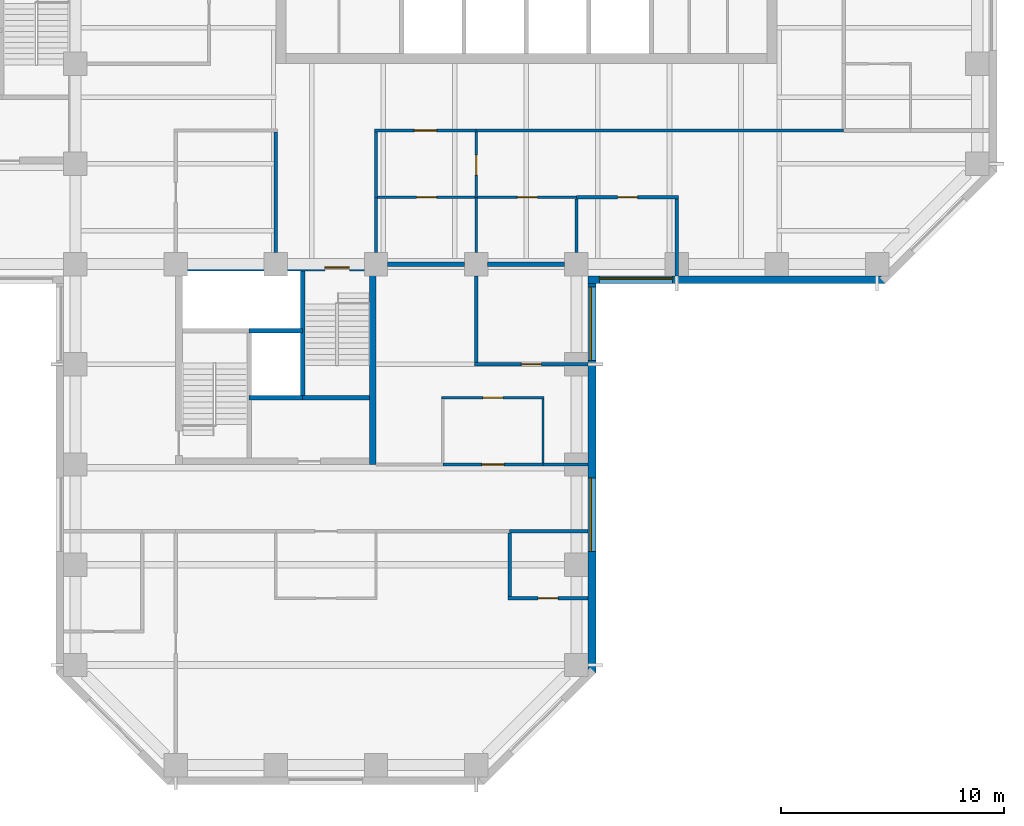
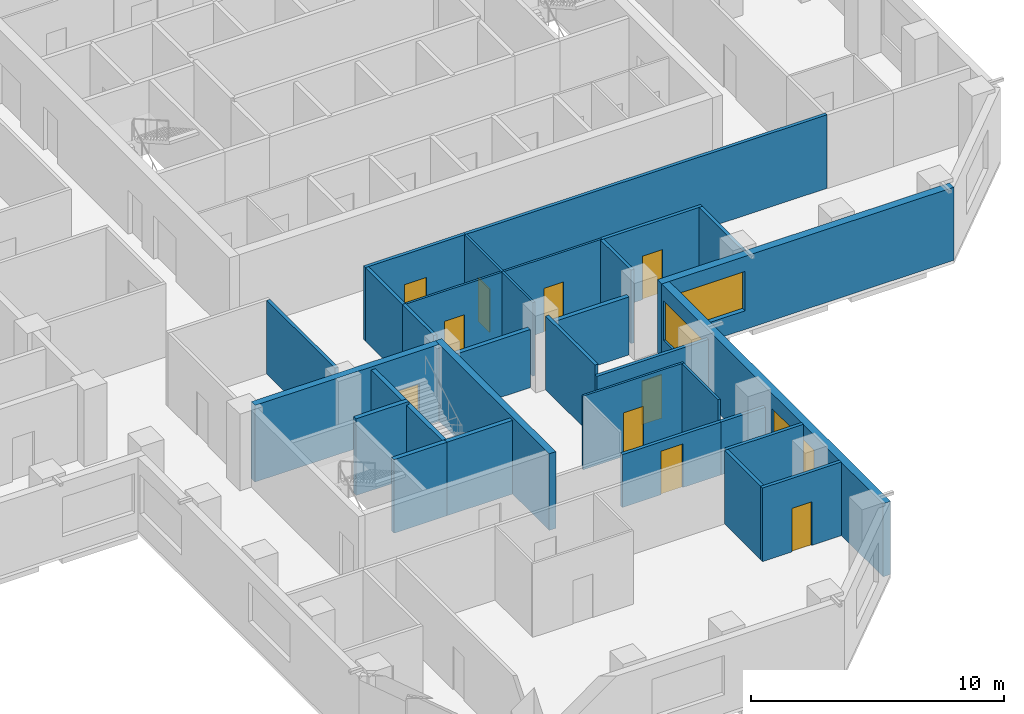
# One storey, part 4 of 11: 31 walls, 10 doors, 3 windows, 13 openings.
"""IFC4 building model written with IfcOpenShell, lengths in metres."""

from ifc_helpers import new_model, si_unit, direction, frame, frame_2d, origin, place, context, subcontext, project, spatial, rectangle, extrude, material, layer, layer_set, constituent, constituent_set, type_object, element, fill, save


model = new_model("IFC4")

# Units and contexts
model_context = context("Model", 3, precision=1e-05, world=origin(), true_north=direction((0.0, 1.0)))
body_context = subcontext(model_context, "Body", "Model", "MODEL_VIEW")
ifc_project = project(units=[si_unit("LENGTHUNIT", "METRE"), si_unit("AREAUNIT", "SQUARE_METRE"), si_unit("VOLUMEUNIT", "CUBIC_METRE"), si_unit("PLANEANGLEUNIT", "RADIAN"), si_unit("MASSUNIT", "GRAM", prefix="KILO")], contexts=[model_context])

# Site, building, storey
site_placement = place(None, origin())
site = spatial("IfcSite", under=ifc_project, at=site_placement, CompositionType="ELEMENT")
building_placement = place(site_placement, origin())
building = spatial("IfcBuilding", under=site, at=building_placement, Name="Quoin Convention Tower", CompositionType="ELEMENT")
storey_placement = place(building_placement, frame((0.0, 0.0, 93.699951171875)))
storey = spatial("IfcBuildingStorey", under=building, at=storey_placement, Name="L24", CompositionType="ELEMENT", Elevation=93.699951171875)

# Wall, opening, door
ifc_material_1 = material(Name="Plasterboard")
ifc_layer_1 = layer(ifc_material_1, 0.012451171875, Name="Finish")
ifc_material_2 = material(Name="Steel stud framing", Category="steel")
ifc_layer_2 = layer(ifc_material_2, 0.125, Name="Structure")
ifc_layer_3 = layer(ifc_material_1, 0.012451171875, Name="Finish")
ifc_layer_set_1 = layer_set([ifc_layer_1, ifc_layer_2, ifc_layer_3], Name="Steel stud framing")
wall_type_1 = type_object("IfcWallType", Name="Acoustic partition 150", PredefinedType="PARTITIONING", material=ifc_layer_set_1)
wall_1_placement = place(storey_placement, frame((58.5, 43.5, 0.0), z_axis=(0.0, 0.0, 1.0), x_axis=(1.0, 0.0, 0.0)))
wall_1 = element("IfcWall", 1, at=wall_1_placement, inside=storey, type_object=wall_type_1, Name="pw-L24-020", PredefinedType="PARTITIONING", context=body_context, shape_type="SweptSolid", body=[
    extrude(rectangle(XDim=4.574951171875, YDim=0.14990234375, at=frame_2d((2.28759765625, 0.0))), origin(), (0.0, 0.0, 1.0), 3.550048828125),
])
opening_1_placement = place(wall_1_placement, frame((1.85009765625, 0.0, 0.0)))
opening_1 = element("IfcOpeningElement", 2, at=opening_1_placement, cuts=wall_1, Name="Opening DOL3-10", PredefinedType="OPENING", context=body_context, shape_type="SweptSolid", body=[
    extrude(rectangle(XDim=0.89990234375, YDim=2.10009765625, at=frame_2d((0.449951171875, 1.050048828125))), frame((0.0, 0.0849609375, 0.0), z_axis=(0.0, -1.0, 0.0), x_axis=(1.0, 0.0, 0.0)), (0.0, 0.0, 1.0), 0.169921875),
])
ifc_material_3 = material(Name="Steel door leaf", Category="steel")
door_type_1 = type_object("IfcDoorType", Name="Office door 900 x 2100", OperationType="SINGLE_SWING_RIGHT", PredefinedType="DOOR", material=ifc_material_3)
door_1_placement = place(opening_1_placement, origin())
door_1 = element("IfcDoor", 3, at=door_1_placement, inside=storey, type_object=door_type_1, Name="dr-L24-16", OperationType="SINGLE_SWING_RIGHT", OverallHeight=2.10009765625, OverallWidth=0.89990234375, PredefinedType="DOOR", context=body_context, shape_type="SweptSolid", body=[
    extrude(rectangle(XDim=0.89990234375, YDim=2.10009765625, at=frame_2d((0.449951171875, 1.050048828125))), frame((0.0, 0.02490234375, 0.0), z_axis=(0.0, -1.0, 0.0), x_axis=(1.0, 0.0, 0.0)), (0.0, 0.0, 1.0), 0.050048828125),
])
fill(opening_1, door_1)

# Walls
wall_2_placement = place(storey_placement, frame((54.0, 36.074951171875, 0.0), z_axis=(0.0, 0.0, 1.0), x_axis=(0.0, 1.0, 0.0)))
element("IfcWall", 4, at=wall_2_placement, inside=storey, type_object=wall_type_1, Name="pw-L24-056", PredefinedType="PARTITIONING", context=body_context, shape_type="SweptSolid", body=[
    extrude(rectangle(XDim=3.900146484375, YDim=0.14990234375, at=frame_2d((1.9501953125, 0.0))), origin(), (0.0, 0.0, 1.0), 3.550048828125),
])
wall_3_placement = place(storey_placement, frame((63.0, 39.97509765625, 0.0), z_axis=(0.0, 0.0, 1.0), x_axis=(0.0, 1.0, 0.0)))
element("IfcWall", 5, at=wall_3_placement, inside=storey, type_object=wall_type_1, Name="pw-L24-059", PredefinedType="PARTITIONING", context=body_context, shape_type="SweptSolid", body=[
    extrude(rectangle(XDim=3.449951171875, YDim=0.14990234375, at=frame_2d((1.72509765625, 0.0))), origin(), (0.0, 0.0, 1.0), 3.550048828125),
])
wall_4_placement = place(storey_placement, frame((58.5, 41.02490234375, 0.0), z_axis=(0.0, 0.0, 1.0), x_axis=(0.0, 1.0, 0.0)))
element("IfcWall", 6, at=wall_4_placement, inside=storey, type_object=wall_type_1, Name="pw-L24-064", PredefinedType="PARTITIONING", context=body_context, shape_type="SweptSolid", body=[
    extrude(rectangle(XDim=2.400146484375, YDim=0.14990234375, at=frame_2d((1.2001953125, 0.0))), origin(), (0.0, 0.0, 1.0), 3.550048828125),
])

# Wall, opening, door
ifc_layer_4 = layer(ifc_material_1, 0.012451171875, Name="Finish")
ifc_layer_5 = layer(ifc_material_2, 0.125, Name="Structure")
ifc_layer_6 = layer(ifc_material_1, 0.012451171875, Name="Finish")
ifc_layer_set_2 = layer_set([ifc_layer_4, ifc_layer_5, ifc_layer_6], Name="Steel stud framing")
wall_type_2 = type_object("IfcWallType", Name="Acoustic partition 150 under beam 454", PredefinedType="PARTITIONING", material=ifc_layer_set_2)
wall_5_placement = place(storey_placement, frame((53.925048828125, 36.0, 0.0), z_axis=(0.0, 0.0, 1.0), x_axis=(1.0, 0.0, 0.0)))
wall_5 = element("IfcWall", 7, at=wall_5_placement, inside=storey, type_object=wall_type_2, Name="pw-L24-014", PredefinedType="PARTITIONING", context=body_context, shape_type="SweptSolid", body=[
    extrude(rectangle(XDim=5.099853515625, YDim=0.14990234375, at=frame_2d((2.5498046875, 0.0))), origin(), (0.0, 0.0, 1.0), 3.095947265625),
])
opening_2_placement = place(wall_5_placement, frame((2.10009765625, 0.0, 0.0)))
opening_2 = element("IfcOpeningElement", 8, at=opening_2_placement, cuts=wall_5, Name="Opening DOL3-07", PredefinedType="OPENING", context=body_context, shape_type="SweptSolid", body=[
    extrude(rectangle(XDim=0.89990234375, YDim=2.10009765625, at=frame_2d((0.449951171875, 1.050048828125))), frame((0.0, 0.0849609375, 0.0), z_axis=(0.0, -1.0, 0.0), x_axis=(1.0, 0.0, 0.0)), (0.0, 0.0, 1.0), 0.169921875),
])
door_2_placement = place(opening_2_placement, frame((0.89990234375, 0.0, 0.0), z_axis=(0.0, 0.0, 1.0), x_axis=(-1.0, 0.0, 0.0)))
door_2 = element("IfcDoor", 9, at=door_2_placement, inside=storey, type_object=door_type_1, Name="dr-L24-33", OperationType="SINGLE_SWING_LEFT", OverallHeight=2.10009765625, OverallWidth=0.89990234375, PredefinedType="DOOR", context=body_context, shape_type="SweptSolid", body=[
    extrude(rectangle(XDim=0.89990234375, YDim=2.10009765625, at=frame_2d((0.449951171875, 1.050048828125))), frame((0.0, 0.02490234375, 0.0), z_axis=(0.0, -1.0, 0.0), x_axis=(1.0, 0.0, 0.0)), (0.0, 0.0, 1.0), 0.050048828125),
])
fill(opening_2, door_2)

# Wall, opening, window
ifc_material_4 = material(Name="Brick masonry", Category="masonry")
ifc_layer_7 = layer(ifc_material_4, 0.35009765625)
ifc_layer_set_3 = layer_set([ifc_layer_7], Name="Brick masonry")
wall_type_3 = type_object("IfcWallType", Name="Brick facade wall", PredefinedType="STANDARD", material=ifc_layer_set_3)
wall_6_placement = place(storey_placement, frame((59.02490234375, 39.800048828125, 0.0), z_axis=(0.0, 0.0, 1.0), x_axis=(1.0, 0.0, 0.0)))
wall_6 = element("IfcWall", 10, at=wall_6_placement, inside=storey, type_object=wall_type_3, Name="fw-L24-58500_40500", PredefinedType="STANDARD", context=body_context, shape_type="SweptSolid", body=[
    extrude(rectangle(XDim=13.33740234375, YDim=0.35009765625, at=frame_2d((6.668701171875, 0.0))), origin(), (0.0, 0.0, 1.0), 3.525146484375),
])
opening_3_placement = place(wall_6_placement, frame((0.5, 0.0, 0.89990234375)))
opening_3 = element("IfcOpeningElement", 11, at=opening_3_placement, cuts=wall_6, Name="Opening W-02", PredefinedType="OPENING", context=body_context, shape_type="SweptSolid", body=[
    extrude(rectangle(XDim=3.300048828125, YDim=1.89990234375, at=frame_2d((1.64990234375, 0.949951171875))), frame((0.0, 0.18505859375, 0.0), z_axis=(0.0, -1.0, 0.0), x_axis=(1.0, 0.0, 0.0)), (0.0, 0.0, 1.0), 0.3701171875),
])
ifc_material_5 = material(Name="Aluminium", Category="aluminium")
ifc_constituent_1 = constituent(ifc_material_5, Name="Frame")
ifc_material_6 = material(Name="Insulated glass", Category="glass")
ifc_constituent_2 = constituent(ifc_material_6, Name="Glazing")
ifc_constituent_set = constituent_set(constituents=[ifc_constituent_1, ifc_constituent_2], Name="Aluminium")
window_type = type_object("IfcWindowType", Name="Office window", PartitioningType="DOUBLE_PANEL_VERTICAL", PredefinedType="WINDOW", material=ifc_constituent_set)
window_1_placement = place(opening_3_placement, origin())
window_1 = element("IfcWindow", 12, at=window_1_placement, inside=storey, type_object=window_type, Name="win-L24-60750_39800", OverallHeight=1.89990234375, OverallWidth=3.300048828125, PartitioningType="SINGLE_PANEL", PredefinedType="WINDOW", context=body_context, shape_type="SweptSolid", body=[
    extrude(rectangle(XDim=3.300048828125, YDim=1.89990234375, at=frame_2d((1.64990234375, 0.949951171875))), frame((0.0, 0.0849609375, 0.0), z_axis=(0.0, -1.0, 0.0), x_axis=(1.0, 0.0, 0.0)), (0.0, 0.0, 1.0), 0.06005859375),
])
fill(opening_3, window_1)

# Wall, openings, windows
wall_7_placement = place(storey_placement, frame((59.199951171875, 22.1376953125, 0.0), z_axis=(0.0, 0.0, 1.0), x_axis=(0.0, 1.0, 0.0)))
wall_7 = element("IfcWall", 13, at=wall_7_placement, inside=storey, type_object=wall_type_3, Name="fw-L24-58500_22500", PredefinedType="STANDARD", context=body_context, shape_type="SweptSolid", body=[
    extrude(rectangle(XDim=17.83740234375, YDim=0.35009765625, at=frame_2d((8.918701171875, 0.0))), origin(), (0.0, 0.0, 1.0), 3.525146484375),
])
opening_4_placement = place(wall_7_placement, frame((5.46240234375, 0.0, 0.89990234375)))
opening_4 = element("IfcOpeningElement", 14, at=opening_4_placement, cuts=wall_7, Name="Opening W-02", PredefinedType="OPENING", context=body_context, shape_type="SweptSolid", body=[
    extrude(rectangle(XDim=3.300048828125, YDim=1.89990234375, at=frame_2d((1.64990234375, 0.949951171875))), frame((0.0, 0.18505859375, 0.0), z_axis=(0.0, -1.0, 0.0), x_axis=(1.0, 0.0, 0.0)), (0.0, 0.0, 1.0), 0.3701171875),
])
opening_5_placement = place(wall_7_placement, frame((14.037353515625, 0.0, 0.89990234375)))
opening_5 = element("IfcOpeningElement", 15, at=opening_5_placement, cuts=wall_7, Name="Opening W-02", PredefinedType="OPENING", context=body_context, shape_type="SweptSolid", body=[
    extrude(rectangle(XDim=3.300048828125, YDim=1.89990234375, at=frame_2d((1.64990234375, 0.949951171875))), frame((0.0, 0.18505859375, 0.0), z_axis=(0.0, -1.0, 0.0), x_axis=(1.0, 0.0, 0.0)), (0.0, 0.0, 1.0), 0.3701171875),
])
window_2_placement = place(opening_4_placement, origin())
window_2 = element("IfcWindow", 16, at=window_2_placement, inside=storey, type_object=window_type, Name="win-L24-59200_29250", OverallHeight=1.89990234375, OverallWidth=3.300048828125, PartitioningType="SINGLE_PANEL", PredefinedType="WINDOW", context=body_context, shape_type="SweptSolid", body=[
    extrude(rectangle(XDim=3.300048828125, YDim=1.89990234375, at=frame_2d((1.64990234375, 0.949951171875))), frame((0.0, 0.0849609375, 0.0), z_axis=(0.0, -1.0, 0.0), x_axis=(1.0, 0.0, 0.0)), (0.0, 0.0, 1.0), 0.06005859375),
])
fill(opening_4, window_2)
window_3_placement = place(opening_5_placement, origin())
window_3 = element("IfcWindow", 17, at=window_3_placement, inside=storey, type_object=window_type, Name="win-L24-59200_38250", OverallHeight=1.89990234375, OverallWidth=3.300048828125, PartitioningType="SINGLE_PANEL", PredefinedType="WINDOW", context=body_context, shape_type="SweptSolid", body=[
    extrude(rectangle(XDim=3.300048828125, YDim=1.89990234375, at=frame_2d((1.64990234375, 0.949951171875))), frame((0.0, 0.0849609375, 0.0), z_axis=(0.0, -1.0, 0.0), x_axis=(1.0, 0.0, 0.0)), (0.0, 0.0, 1.0), 0.06005859375),
])
fill(opening_5, window_3)

# Walls
ifc_material_7 = material(Name="Concrete C50", Category="concrete")
ifc_layer_8 = layer(ifc_material_7, 0.199951171875)
ifc_layer_set_4 = layer_set([ifc_layer_8], Name="Concrete C50")
wall_type_4 = type_object("IfcWallType", Name="Core shaft wall", PredefinedType="SOLIDWALL", material=ifc_layer_set_4)
wall_8_placement = place(storey_placement, frame((43.800048828125, 34.5, 0.0), z_axis=(0.0, 0.0, 1.0), x_axis=(1.0, 0.0, 0.0)))
element("IfcWall", 18, at=wall_8_placement, inside=storey, type_object=wall_type_4, Name="cr-P3-L24-h3000_3300", PredefinedType="SOLIDWALL", context=body_context, shape_type="SweptSolid", body=[
    extrude(rectangle(XDim=2.39990234375, YDim=0.199951171875, at=frame_2d((1.199951171875, 0.0))), origin(), (0.0, 0.0, 1.0), 3.550048828125),
])
wall_9_placement = place(storey_placement, frame((46.199951171875, 34.5, 0.0), z_axis=(0.0, 0.0, 1.0), x_axis=(1.0, 0.0, 0.0)))
element("IfcWall", 19, at=wall_9_placement, inside=storey, type_object=wall_type_4, Name="cr-P3-L24-h3000_5700", PredefinedType="SOLIDWALL", context=body_context, shape_type="SweptSolid", body=[
    extrude(rectangle(XDim=3.0, YDim=0.199951171875, at=frame_2d((1.5, 0.0))), origin(), (0.0, 0.0, 1.0), 3.550048828125),
])
wall_10_placement = place(storey_placement, frame((46.199951171875, 34.5, 0.0), z_axis=(0.0, 0.0, 1.0), x_axis=(0.0, 1.0, 0.0)))
element("IfcWall", 20, at=wall_10_placement, inside=storey, type_object=wall_type_4, Name="cr-P3-L24-v5700_3000", PredefinedType="SOLIDWALL", context=body_context, shape_type="SweptSolid", body=[
    extrude(rectangle(XDim=5.699951171875, YDim=0.199951171875, at=frame_2d((2.85009765625, 0.0))), origin(), (0.0, 0.0, 1.0), 3.550048828125),
])
ifc_layer_9 = layer(ifc_material_7, 0.199951171875)
ifc_layer_set_5 = layer_set([ifc_layer_9], Name="Concrete C50")
wall_type_5 = type_object("IfcWallType", Name="Core shaft wall to the floor level over", PredefinedType="SOLIDWALL", material=ifc_layer_set_5)
wall_11_placement = place(storey_placement, frame((43.800048828125, 37.5, 0.0), z_axis=(0.0, 0.0, 1.0), x_axis=(1.0, 0.0, 0.0)))
element("IfcWall", 21, at=wall_11_placement, inside=storey, type_object=wall_type_5, Name="cr-P3-L24-h6000_3300", PredefinedType="SOLIDWALL", context=body_context, shape_type="SweptSolid", body=[
    extrude(rectangle(XDim=2.39990234375, YDim=0.199951171875, at=frame_2d((1.199951171875, 0.0))), origin(), (0.0, 0.0, 1.0), 3.699951171875),
])
ifc_layer_10 = layer(ifc_material_1, 0.012451171875, Name="Finish")
ifc_layer_11 = layer(ifc_material_2, 0.125, Name="Structure")
ifc_layer_12 = layer(ifc_material_1, 0.012451171875, Name="Finish")
ifc_layer_set_6 = layer_set([ifc_layer_10, ifc_layer_11, ifc_layer_12], Name="Steel stud framing")
wall_type_6 = type_object("IfcWallType", Name="Corridor wall 150", PredefinedType="PARTITIONING", material=ifc_layer_set_6)
wall_12_placement = place(storey_placement, frame((55.5, 28.5, 0.0), z_axis=(0.0, 0.0, 1.0), x_axis=(1.0, 0.0, 0.0)))
element("IfcWall", 22, at=wall_12_placement, inside=storey, type_object=wall_type_6, Name="pw-L24-009", PredefinedType="PARTITIONING", context=body_context, shape_type="SweptSolid", body=[
    extrude(rectangle(XDim=3.52490234375, YDim=0.14990234375, at=frame_2d((1.762451171875, 0.0))), origin(), (0.0, 0.0, 1.0), 3.550048828125),
])

# Wall, opening, door
wall_13_placement = place(storey_placement, frame((49.425048828125, 46.5, 0.0), z_axis=(0.0, 0.0, 1.0), x_axis=(1.0, 0.0, 0.0)))
wall_13 = element("IfcWall", 23, at=wall_13_placement, inside=storey, type_object=wall_type_6, Name="pw-L24-024", PredefinedType="PARTITIONING", context=body_context, shape_type="SweptSolid", body=[
    extrude(rectangle(XDim=4.574951171875, YDim=0.14990234375, at=frame_2d((2.28759765625, 0.0))), origin(), (0.0, 0.0, 1.0), 3.550048828125),
])
opening_6_placement = place(wall_13_placement, frame((1.800048828125, 0.0, 0.0)))
opening_6 = element("IfcOpeningElement", 24, at=opening_6_placement, cuts=wall_13, Name="Opening DOL3-11", PredefinedType="OPENING", context=body_context, shape_type="SweptSolid", body=[
    extrude(rectangle(XDim=1.0, YDim=2.10009765625, at=frame_2d((0.5, 1.050048828125))), frame((0.0, 0.0849609375, 0.0), z_axis=(0.0, -1.0, 0.0), x_axis=(1.0, 0.0, 0.0)), (0.0, 0.0, 1.0), 0.169921875),
])
door_type_2 = type_object("IfcDoorType", Name="Tenancy entrance door 1000 x 2100", OperationType="DOUBLE_DOOR_SINGLE_SWING", PredefinedType="DOOR", material=ifc_material_3)
door_3_placement = place(opening_6_placement, frame((1.0, 0.0, 0.0), z_axis=(0.0, 0.0, 1.0), x_axis=(-1.0, 0.0, 0.0)))
door_3 = element("IfcDoor", 25, at=door_3_placement, inside=storey, type_object=door_type_2, Name="dr-L24-12", OperationType="DOUBLE_DOOR_SINGLE_SWING", OverallHeight=2.10009765625, OverallWidth=1.0, PredefinedType="DOOR", context=body_context, shape_type="SweptSolid", body=[
    extrude(rectangle(XDim=1.0, YDim=2.10009765625, at=frame_2d((0.5, 1.050048828125))), frame((0.0, 0.02490234375, 0.0), z_axis=(0.0, -1.0, 0.0), x_axis=(1.0, 0.0, 0.0)), (0.0, 0.0, 1.0), 0.050048828125),
])
fill(opening_6, door_3)

# Walls
wall_14_placement = place(storey_placement, frame((54.0, 46.5, 0.0), z_axis=(0.0, 0.0, 1.0), x_axis=(1.0, 0.0, 0.0)))
element("IfcWall", 26, at=wall_14_placement, inside=storey, type_object=wall_type_6, Name="pw-L24-025", PredefinedType="PARTITIONING", context=body_context, shape_type="SweptSolid", body=[
    extrude(rectangle(XDim=16.5, YDim=0.14990234375, at=frame_2d((8.25, 0.0))), origin(), (0.0, 0.0, 1.0), 3.550048828125),
])
wall_15_placement = place(storey_placement, frame((45.0, 41.02490234375, 0.0), z_axis=(0.0, 0.0, 1.0), x_axis=(0.0, 1.0, 0.0)))
element("IfcWall", 27, at=wall_15_placement, inside=storey, type_object=wall_type_6, Name="pw-L24-061", PredefinedType="PARTITIONING", context=body_context, shape_type="SweptSolid", body=[
    extrude(rectangle(XDim=5.400146484375, YDim=0.14990234375, at=frame_2d((2.7001953125, 0.0))), origin(), (0.0, 0.0, 1.0), 3.550048828125),
])
wall_16_placement = place(storey_placement, frame((49.5, 41.02490234375, 0.0), z_axis=(0.0, 0.0, 1.0), x_axis=(0.0, 1.0, 0.0)))
element("IfcWall", 28, at=wall_16_placement, inside=storey, type_object=wall_type_6, Name="pw-L24-062", PredefinedType="PARTITIONING", context=body_context, shape_type="SweptSolid", body=[
    extrude(rectangle(XDim=2.47509765625, YDim=0.14990234375, at=frame_2d((1.237548828125, 0.0))), origin(), (0.0, 0.0, 1.0), 3.550048828125),
])
wall_17_placement = place(storey_placement, frame((49.5, 43.5, 0.0), z_axis=(0.0, 0.0, 1.0), x_axis=(0.0, 1.0, 0.0)))
element("IfcWall", 29, at=wall_17_placement, inside=storey, type_object=wall_type_6, Name="pw-L24-066", PredefinedType="PARTITIONING", context=body_context, shape_type="SweptSolid", body=[
    extrude(rectangle(XDim=2.925048828125, YDim=0.14990234375, at=frame_2d((1.46240234375, 0.0))), origin(), (0.0, 0.0, 1.0), 3.550048828125),
])

# Wall, opening, door
ifc_layer_13 = layer(ifc_material_1, 0.012451171875, Name="Finish")
ifc_layer_14 = layer(ifc_material_2, 0.125, Name="Structure")
ifc_layer_15 = layer(ifc_material_1, 0.012451171875, Name="Finish")
ifc_layer_set_7 = layer_set([ifc_layer_13, ifc_layer_14, ifc_layer_15], Name="Steel stud framing")
wall_type_7 = type_object("IfcWallType", Name="Corridor wall 150 under beam 1000", PredefinedType="PARTITIONING", material=ifc_layer_set_7)
wall_18_placement = place(storey_placement, frame((52.5, 31.5, 0.0), z_axis=(0.0, 0.0, 1.0), x_axis=(1.0, 0.0, 0.0)))
wall_18 = element("IfcWall", 30, at=wall_18_placement, inside=storey, type_object=wall_type_7, Name="pw-L24-011", PredefinedType="PARTITIONING", context=body_context, shape_type="SweptSolid", body=[
    extrude(rectangle(XDim=4.5, YDim=0.14990234375, at=frame_2d((2.25, 0.0))), origin(), (0.0, 0.0, 1.0), 2.550048828125),
])
opening_7_placement = place(wall_18_placement, frame((1.75, 0.0, 0.0)))
opening_7 = element("IfcOpeningElement", 31, at=opening_7_placement, cuts=wall_18, Name="Opening DOL3-05", PredefinedType="OPENING", context=body_context, shape_type="SweptSolid", body=[
    extrude(rectangle(XDim=1.0, YDim=2.10009765625, at=frame_2d((0.5, 1.050048828125))), frame((0.0, 0.0849609375, 0.0), z_axis=(0.0, -1.0, 0.0), x_axis=(1.0, 0.0, 0.0)), (0.0, 0.0, 1.0), 0.169921875),
])
door_4_placement = place(opening_7_placement, origin())
door_4 = element("IfcDoor", 32, at=door_4_placement, inside=storey, type_object=door_type_2, Name="dr-L24-31", OperationType="DOUBLE_DOOR_SINGLE_SWING", OverallHeight=2.10009765625, OverallWidth=1.0, PredefinedType="DOOR", context=body_context, shape_type="SweptSolid", body=[
    extrude(rectangle(XDim=1.0, YDim=2.10009765625, at=frame_2d((0.5, 1.050048828125))), frame((0.0, 0.02490234375, 0.0), z_axis=(0.0, -1.0, 0.0), x_axis=(1.0, 0.0, 0.0)), (0.0, 0.0, 1.0), 0.050048828125),
])
fill(opening_7, door_4)

# Wall
wall_19_placement = place(storey_placement, frame((57.0, 31.5, 0.0), z_axis=(0.0, 0.0, 1.0), x_axis=(1.0, 0.0, 0.0)))
element("IfcWall", 33, at=wall_19_placement, inside=storey, type_object=wall_type_7, Name="pw-L24-012", PredefinedType="PARTITIONING", context=body_context, shape_type="SweptSolid", body=[
    extrude(rectangle(XDim=2.02490234375, YDim=0.14990234375, at=frame_2d((1.012451171875, 0.0))), origin(), (0.0, 0.0, 1.0), 2.550048828125),
])

# Wall, opening, door
ifc_material_8 = material(Name="Concrete C65", Category="concrete")
ifc_layer_16 = layer(ifc_material_8, 0.300048828125)
ifc_layer_set_8 = layer_set([ifc_layer_16], Name="Concrete C65")
wall_type_8 = type_object("IfcWallType", Name="RC CORE WALL 300 C65", PredefinedType="SHEAR", material=ifc_layer_set_8)
wall_20_placement = place(storey_placement, frame((40.800048828125, 40.35009765625, 0.0), z_axis=(0.0, 0.0, 1.0), x_axis=(1.0, 0.0, 0.0)))
wall_20 = element("IfcWall", 34, at=wall_20_placement, inside=storey, type_object=wall_type_8, Name="cwl-P3-L24-N", PredefinedType="SHEAR", context=body_context, shape_type="SweptSolid", body=[
    extrude(rectangle(XDim=8.39990234375, YDim=0.300048828125, at=frame_2d((4.199951171875, 0.0))), origin(), (0.0, 0.0, 1.0), 3.699951171875),
])
opening_8_placement = place(wall_20_placement, frame((6.39990234375, 0.0, 0.0)))
opening_8 = element("IfcOpeningElement", 35, at=opening_8_placement, cuts=wall_20, Name="Opening SD6", PredefinedType="OPENING", context=body_context, shape_type="SweptSolid", body=[
    extrude(rectangle(XDim=1.10009765625, YDim=2.10009765625, at=frame_2d((0.550048828125, 1.050048828125))), frame((0.0, 0.159912109375, 0.0), z_axis=(0.0, -1.0, 0.0), x_axis=(1.0, 0.0, 0.0)), (0.0, 0.0, 1.0), 0.320068359375),
])
door_type_3 = type_object("IfcDoorType", Name="Stair door 1100 x 2100", OperationType="SINGLE_SWING_RIGHT", PredefinedType="DOOR", material=ifc_material_3)
door_5_placement = place(opening_8_placement, frame((1.10009765625, 0.0, 0.0), z_axis=(0.0, 0.0, 1.0), x_axis=(-1.0, 0.0, 0.0)))
door_5 = element("IfcDoor", 36, at=door_5_placement, inside=storey, type_object=door_type_3, Name="cd-P3-L24-SB-N", OperationType="SINGLE_SWING_LEFT", OverallHeight=2.10009765625, OverallWidth=1.10009765625, PredefinedType="DOOR", context=body_context, shape_type="SweptSolid", body=[
    extrude(rectangle(XDim=1.10009765625, YDim=2.10009765625, at=frame_2d((0.550048828125, 1.050048828125))), frame((0.0, 0.02490234375, 0.0), z_axis=(0.0, -1.0, 0.0), x_axis=(1.0, 0.0, 0.0)), (0.0, 0.0, 1.0), 0.050048828125),
])
fill(opening_8, door_5)

# Wall
wall_21_placement = place(storey_placement, frame((49.35009765625, 31.5, 0.0), z_axis=(0.0, 0.0, 1.0), x_axis=(0.0, 1.0, 0.0)))
element("IfcWall", 37, at=wall_21_placement, inside=storey, type_object=wall_type_8, Name="cwl-P3-L24-E", PredefinedType="SHEAR", context=body_context, shape_type="SweptSolid", body=[
    extrude(rectangle(XDim=9.0, YDim=0.300048828125, at=frame_2d((4.5, 0.0))), origin(), (0.0, 0.0, 1.0), 3.699951171875),
])

# Wall, opening, door
ifc_layer_17 = layer(ifc_material_1, 0.012451171875, Name="Finish")
ifc_layer_18 = layer(ifc_material_2, 0.074951171875, Name="Structure")
ifc_layer_19 = layer(ifc_material_1, 0.012451171875, Name="Finish")
ifc_layer_set_9 = layer_set([ifc_layer_17, ifc_layer_18, ifc_layer_19], Name="Steel stud framing")
wall_type_9 = type_object("IfcWallType", Name="Stud partition 100", PredefinedType="PARTITIONING", material=ifc_layer_set_9)
wall_22_placement = place(storey_placement, frame((52.449951171875, 34.5, 0.0), z_axis=(0.0, 0.0, 1.0), x_axis=(1.0, 0.0, 0.0)))
wall_22 = element("IfcWall", 38, at=wall_22_placement, inside=storey, type_object=wall_type_9, Name="pw-L24-013", PredefinedType="PARTITIONING", context=body_context, shape_type="SweptSolid", body=[
    extrude(rectangle(XDim=4.60009765625, YDim=0.10009765625, at=frame_2d((2.300048828125, 0.0))), origin(), (0.0, 0.0, 1.0), 3.550048828125),
])
opening_9_placement = place(wall_22_placement, frame((1.85009765625, 0.0, 0.0)))
opening_9 = element("IfcOpeningElement", 39, at=opening_9_placement, cuts=wall_22, Name="Opening DOL3-06", PredefinedType="OPENING", context=body_context, shape_type="SweptSolid", body=[
    extrude(rectangle(XDim=0.89990234375, YDim=2.10009765625, at=frame_2d((0.449951171875, 1.050048828125))), frame((0.0, 0.06005859375, 0.0), z_axis=(0.0, -1.0, 0.0), x_axis=(1.0, 0.0, 0.0)), (0.0, 0.0, 1.0), 0.1201171875),
])
door_6_placement = place(opening_9_placement, origin())
door_6 = element("IfcDoor", 40, at=door_6_placement, inside=storey, type_object=door_type_1, Name="dr-L24-32", OperationType="SINGLE_SWING_RIGHT", OverallHeight=2.10009765625, OverallWidth=0.89990234375, PredefinedType="DOOR", context=body_context, shape_type="SweptSolid", body=[
    extrude(rectangle(XDim=0.89990234375, YDim=2.10009765625, at=frame_2d((0.449951171875, 1.050048828125))), frame((0.0, 0.02490234375, 0.0), z_axis=(0.0, -1.0, 0.0), x_axis=(1.0, 0.0, 0.0)), (0.0, 0.0, 1.0), 0.050048828125),
])
fill(opening_9, door_6)

wall_23_placement = place(storey_placement, frame((49.574951171875, 43.5, 0.0), z_axis=(0.0, 0.0, 1.0), x_axis=(1.0, 0.0, 0.0)))
wall_23 = element("IfcWall", 41, at=wall_23_placement, inside=storey, type_object=wall_type_9, Name="pw-L24-018", PredefinedType="PARTITIONING", context=body_context, shape_type="SweptSolid", body=[
    extrude(rectangle(XDim=4.375, YDim=0.10009765625, at=frame_2d((2.1875, 0.0))), origin(), (0.0, 0.0, 1.0), 3.550048828125),
])
opening_10_placement = place(wall_23_placement, frame((1.75, 0.0, 0.0)))
opening_10 = element("IfcOpeningElement", 42, at=opening_10_placement, cuts=wall_23, Name="Opening DOL3-08", PredefinedType="OPENING", context=body_context, shape_type="SweptSolid", body=[
    extrude(rectangle(XDim=0.89990234375, YDim=2.10009765625, at=frame_2d((0.449951171875, 1.050048828125))), frame((0.0, 0.06005859375, 0.0), z_axis=(0.0, -1.0, 0.0), x_axis=(1.0, 0.0, 0.0)), (0.0, 0.0, 1.0), 0.1201171875),
])
door_7_placement = place(opening_10_placement, origin())
door_7 = element("IfcDoor", 43, at=door_7_placement, inside=storey, type_object=door_type_1, Name="dr-L24-14", OperationType="SINGLE_SWING_RIGHT", OverallHeight=2.10009765625, OverallWidth=0.89990234375, PredefinedType="DOOR", context=body_context, shape_type="SweptSolid", body=[
    extrude(rectangle(XDim=0.89990234375, YDim=2.10009765625, at=frame_2d((0.449951171875, 1.050048828125))), frame((0.0, 0.02490234375, 0.0), z_axis=(0.0, -1.0, 0.0), x_axis=(1.0, 0.0, 0.0)), (0.0, 0.0, 1.0), 0.050048828125),
])
fill(opening_10, door_7)

wall_24_placement = place(storey_placement, frame((54.050048828125, 43.5, 0.0), z_axis=(0.0, 0.0, 1.0), x_axis=(1.0, 0.0, 0.0)))
wall_24 = element("IfcWall", 44, at=wall_24_placement, inside=storey, type_object=wall_type_9, Name="pw-L24-019", PredefinedType="PARTITIONING", context=body_context, shape_type="SweptSolid", body=[
    extrude(rectangle(XDim=4.449951171875, YDim=0.10009765625, at=frame_2d((2.22509765625, 0.0))), origin(), (0.0, 0.0, 1.0), 3.550048828125),
])
opening_11_placement = place(wall_24_placement, frame((1.800048828125, 0.0, 0.0)))
opening_11 = element("IfcOpeningElement", 45, at=opening_11_placement, cuts=wall_24, Name="Opening DOL3-09", PredefinedType="OPENING", context=body_context, shape_type="SweptSolid", body=[
    extrude(rectangle(XDim=0.89990234375, YDim=2.10009765625, at=frame_2d((0.449951171875, 1.050048828125))), frame((0.0, 0.06005859375, 0.0), z_axis=(0.0, -1.0, 0.0), x_axis=(1.0, 0.0, 0.0)), (0.0, 0.0, 1.0), 0.1201171875),
])
door_8_placement = place(opening_11_placement, origin())
door_8 = element("IfcDoor", 46, at=door_8_placement, inside=storey, type_object=door_type_1, Name="dr-L24-15", OperationType="SINGLE_SWING_RIGHT", OverallHeight=2.10009765625, OverallWidth=0.89990234375, PredefinedType="DOOR", context=body_context, shape_type="SweptSolid", body=[
    extrude(rectangle(XDim=0.89990234375, YDim=2.10009765625, at=frame_2d((0.449951171875, 1.050048828125))), frame((0.0, 0.02490234375, 0.0), z_axis=(0.0, -1.0, 0.0), x_axis=(1.0, 0.0, 0.0)), (0.0, 0.0, 1.0), 0.050048828125),
])
fill(opening_11, door_8)

# Walls
wall_25_placement = place(storey_placement, frame((57.0, 31.574951171875, 0.0), z_axis=(0.0, 0.0, 1.0), x_axis=(0.0, 1.0, 0.0)))
element("IfcWall", 47, at=wall_25_placement, inside=storey, type_object=wall_type_9, Name="pw-L24-055", PredefinedType="PARTITIONING", context=body_context, shape_type="SweptSolid", body=[
    extrude(rectangle(XDim=2.875, YDim=0.10009765625, at=frame_2d((1.4375, 0.0))), origin(), (0.0, 0.0, 1.0), 3.550048828125),
])
wall_26_placement = place(storey_placement, frame((54.0, 41.02490234375, 0.0), z_axis=(0.0, 0.0, 1.0), x_axis=(0.0, 1.0, 0.0)))
element("IfcWall", 48, at=wall_26_placement, inside=storey, type_object=wall_type_9, Name="pw-L24-063", PredefinedType="PARTITIONING", context=body_context, shape_type="SweptSolid", body=[
    extrude(rectangle(XDim=2.47509765625, YDim=0.10009765625, at=frame_2d((1.237548828125, 0.0))), origin(), (0.0, 0.0, 1.0), 3.550048828125),
])

# Wall, opening, door
wall_27_placement = place(storey_placement, frame((54.0, 43.5, 0.0), z_axis=(0.0, 0.0, 1.0), x_axis=(0.0, 1.0, 0.0)))
wall_27 = element("IfcWall", 49, at=wall_27_placement, inside=storey, type_object=wall_type_9, Name="pw-L24-067", PredefinedType="PARTITIONING", context=body_context, shape_type="SweptSolid", body=[
    extrude(rectangle(XDim=2.925048828125, YDim=0.10009765625, at=frame_2d((1.46240234375, 0.0))), origin(), (0.0, 0.0, 1.0), 3.550048828125),
])
opening_12_placement = place(wall_27_placement, frame((1.0, 0.0, 0.0)))
opening_12 = element("IfcOpeningElement", 50, at=opening_12_placement, cuts=wall_27, Name="Opening DOL3-25", PredefinedType="OPENING", context=body_context, shape_type="SweptSolid", body=[
    extrude(rectangle(XDim=0.89990234375, YDim=2.10009765625, at=frame_2d((0.449951171875, 1.050048828125))), frame((0.0, 0.06005859375, 0.0), z_axis=(0.0, -1.0, 0.0), x_axis=(1.0, 0.0, 0.0)), (0.0, 0.0, 1.0), 0.1201171875),
])
door_9_placement = place(opening_12_placement, frame((0.89990234375, 0.0, 0.0), z_axis=(0.0, 0.0, 1.0), x_axis=(-1.0, 0.0, 0.0)))
door_9 = element("IfcDoor", 51, at=door_9_placement, inside=storey, type_object=door_type_1, Name="dr-L24-13", OperationType="SINGLE_SWING_RIGHT", OverallHeight=2.10009765625, OverallWidth=0.89990234375, PredefinedType="DOOR", context=body_context, shape_type="SweptSolid", body=[
    extrude(rectangle(XDim=0.89990234375, YDim=2.10009765625, at=frame_2d((0.449951171875, 1.050048828125))), frame((0.0, 0.02490234375, 0.0), z_axis=(0.0, -1.0, 0.0), x_axis=(1.0, 0.0, 0.0)), (0.0, 0.0, 1.0), 0.050048828125),
])
fill(opening_12, door_9)

# Walls
ifc_layer_20 = layer(ifc_material_1, 0.012451171875, Name="Finish")
ifc_layer_21 = layer(ifc_material_2, 0.175048828125, Name="Structure")
ifc_layer_22 = layer(ifc_material_1, 0.012451171875, Name="Finish")
ifc_layer_set_10 = layer_set([ifc_layer_20, ifc_layer_21, ifc_layer_22], Name="Steel stud framing")
wall_type_10 = type_object("IfcWallType", Name="Tenancy demising wall 200 under beam 750", PredefinedType="PARTITIONING", material=ifc_layer_set_10)
wall_28_placement = place(storey_placement, frame((50.014892578125, 40.5, 0.0), z_axis=(0.0, 0.0, 1.0), x_axis=(1.0, 0.0, 0.0)))
element("IfcWall", 52, at=wall_28_placement, inside=storey, type_object=wall_type_10, Name="pw-L24-015", PredefinedType="PARTITIONING", context=body_context, shape_type="SweptSolid", body=[
    extrude(rectangle(XDim=3.460205078125, YDim=0.199951171875, at=frame_2d((1.72998046875, 0.0))), origin(), (0.0, 0.0, 1.0), 2.800048828125),
])
wall_29_placement = place(storey_placement, frame((54.4951171875, 40.5, 0.0), z_axis=(0.0, 0.0, 1.0), x_axis=(1.0, 0.0, 0.0)))
element("IfcWall", 53, at=wall_29_placement, inside=storey, type_object=wall_type_10, Name="pw-L24-016", PredefinedType="PARTITIONING", context=body_context, shape_type="SweptSolid", body=[
    extrude(rectangle(XDim=3.47998046875, YDim=0.199951171875, at=frame_2d((1.739990234375, 0.0))), origin(), (0.0, 0.0, 1.0), 2.800048828125),
])

# Wall, opening, door
ifc_layer_23 = layer(ifc_material_1, 0.012451171875, Name="Finish")
ifc_layer_24 = layer(ifc_material_2, 0.125, Name="Structure")
ifc_layer_25 = layer(ifc_material_1, 0.012451171875, Name="Finish")
ifc_layer_set_11 = layer_set([ifc_layer_23, ifc_layer_24, ifc_layer_25], Name="Steel stud framing")
wall_type_11 = type_object("IfcWallType", Name="Wet area partition 150", PredefinedType="PARTITIONING", material=ifc_layer_set_11)
wall_30_placement = place(storey_placement, frame((55.425048828125, 25.5, 0.0), z_axis=(0.0, 0.0, 1.0), x_axis=(1.0, 0.0, 0.0)))
wall_30 = element("IfcWall", 54, at=wall_30_placement, inside=storey, type_object=wall_type_11, Name="pw-L24-003", PredefinedType="PARTITIONING", context=body_context, shape_type="SweptSolid", body=[
    extrude(rectangle(XDim=3.599853515625, YDim=0.14990234375, at=frame_2d((1.7998046875, 0.0))), origin(), (0.0, 0.0, 1.0), 3.550048828125),
])
opening_13_placement = place(wall_30_placement, frame((1.35009765625, 0.0, 0.0)))
opening_13 = element("IfcOpeningElement", 55, at=opening_13_placement, cuts=wall_30, Name="Opening DOL3-03", PredefinedType="OPENING", context=body_context, shape_type="SweptSolid", body=[
    extrude(rectangle(XDim=0.89990234375, YDim=2.10009765625, at=frame_2d((0.449951171875, 1.050048828125))), frame((0.0, 0.0849609375, 0.0), z_axis=(0.0, -1.0, 0.0), x_axis=(1.0, 0.0, 0.0)), (0.0, 0.0, 1.0), 0.169921875),
])
door_10_placement = place(opening_13_placement, frame((0.89990234375, 0.0, 0.0), z_axis=(0.0, 0.0, 1.0), x_axis=(-1.0, 0.0, 0.0)))
door_10 = element("IfcDoor", 56, at=door_10_placement, inside=storey, type_object=door_type_1, Name="dr-L24-09", OperationType="SINGLE_SWING_LEFT", OverallHeight=2.10009765625, OverallWidth=0.89990234375, PredefinedType="DOOR", context=body_context, shape_type="SweptSolid", body=[
    extrude(rectangle(XDim=0.89990234375, YDim=2.10009765625, at=frame_2d((0.449951171875, 1.050048828125))), frame((0.0, 0.02490234375, 0.0), z_axis=(0.0, -1.0, 0.0), x_axis=(1.0, 0.0, 0.0)), (0.0, 0.0, 1.0), 0.050048828125),
])
fill(opening_13, door_10)

# Wall
wall_31_placement = place(storey_placement, frame((55.5, 25.574951171875, 0.0), z_axis=(0.0, 0.0, 1.0), x_axis=(0.0, 1.0, 0.0)))
element("IfcWall", 57, at=wall_31_placement, inside=storey, type_object=wall_type_11, Name="pw-L24-053", PredefinedType="PARTITIONING", context=body_context, shape_type="SweptSolid", body=[
    extrude(rectangle(XDim=2.85009765625, YDim=0.14990234375, at=frame_2d((1.425048828125, 0.0))), origin(), (0.0, 0.0, 1.0), 3.550048828125),
])

save(model, "model.ifc")
